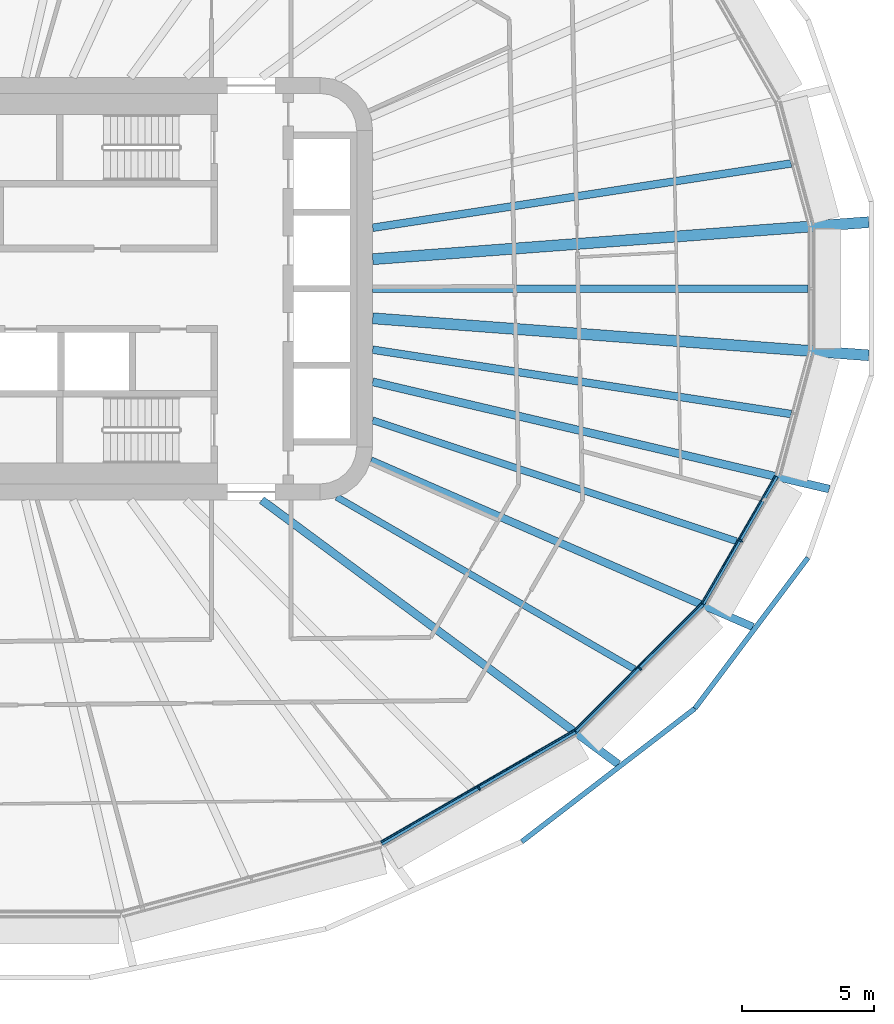
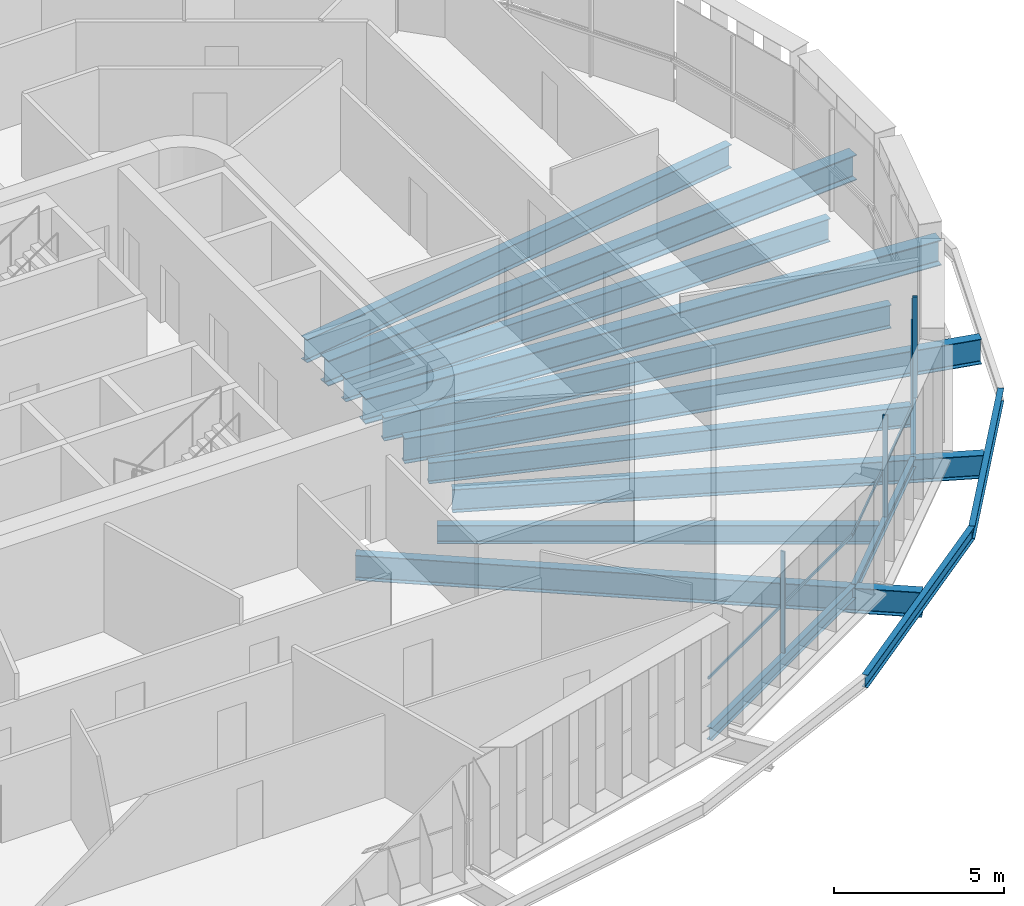
# One storey, part 5 of 26: 15 beams, 6 members, 3 elements without a shape of their own.
"""IFC4 building model written with IfcOpenShell, lengths in metres."""

from ifc_helpers import new_model, si_unit, direction, frame, origin, origin_2d, place, context, subcontext, project, spatial, rectangle, i_section, extrude, material, layer, layer_set, material_profile, profile_set, type_object, element, aggregate, save


model = new_model("IFC4")

# Units and contexts
model_context = context("Model", 3, precision=1e-05, world=origin(), true_north=direction((0.0, 1.0)))
body_context = subcontext(model_context, "Body", "Model", "MODEL_VIEW")
ifc_project = project(units=[si_unit("LENGTHUNIT", "METRE"), si_unit("AREAUNIT", "SQUARE_METRE"), si_unit("VOLUMEUNIT", "CUBIC_METRE"), si_unit("PLANEANGLEUNIT", "RADIAN"), si_unit("MASSUNIT", "GRAM", prefix="KILO")], contexts=[model_context])

# Site, building, storey
site_placement = place(None, origin())
site = spatial("IfcSite", under=ifc_project, at=site_placement, CompositionType="ELEMENT")
building_placement = place(site_placement, origin())
building = spatial("IfcBuilding", under=site, at=building_placement, Name="Sahrelin Media Tower", CompositionType="ELEMENT")
storey_placement = place(building_placement, frame((0.0, 0.0, 88.199951171875)))
storey = spatial("IfcBuildingStorey", under=building, at=storey_placement, Name="L16", CompositionType="ELEMENT", Elevation=88.199951171875)

# Beams
ifc_material_1 = material(Name="Steel S355", Category="steel")
ifc_material_profile_1 = material_profile(ifc_material_1, i_section(OverallWidth=0.1650390625, OverallDepth=0.303466796875, WebThickness=0.006103515625, FlangeThickness=0.01025390625, FilletRadius=0.0087890625, at=origin_2d()), Name="UB 305x165x40")
ifc_profile_set_1 = profile_set([ifc_material_profile_1], Name="Steel S355")
beam_type_1 = type_object("IfcBeamType", Name="Edge beam EB2", PredefinedType="BEAM", material=ifc_profile_set_1)
beam_1_placement = place(storey_placement, frame((30.282958984375, -7.103271484375, -0.3017578125), z_axis=(-0.499998387408, -0.866026334813, 0.0), x_axis=(0.866026334813, -0.499998387408, 0.0)))
element("IfcBeam", 1, at=beam_1_placement, inside=storey, type_object=beam_type_1, Name="Edge beam L16-03", PredefinedType="BEAM", context=body_context, shape_type="SweptSolid", body=[
    extrude(i_section(OverallWidth=0.1650390625, OverallDepth=0.303466796875, WebThickness=0.006103515625, FlangeThickness=0.01025390625, FilletRadius=0.0087890625, at=origin_2d()), origin(), (0.0, 0.0, 1.0), 5.5654296875),
])
ifc_material_profile_2 = material_profile(ifc_material_1, i_section(OverallWidth=0.17138671875, OverallDepth=0.35498046875, WebThickness=0.00732421875, FlangeThickness=0.011474609375, FilletRadius=0.01025390625, at=origin_2d()), Name="UB 356x171x51")
ifc_profile_set_2 = profile_set([ifc_material_profile_2], Name="Steel S355")
beam_type_2 = type_object("IfcBeamType", Name="Edge beam EB3", PredefinedType="BEAM", material=ifc_profile_set_2)
beam_2_placement = place(storey_placement, frame((27.482666015625, -11.946044921875, -0.327392578125), z_axis=(-0.707106781187, -0.707106781187, 0.0), x_axis=(0.707106781187, -0.707106781187, 0.0)))
element("IfcBeam", 2, at=beam_2_placement, inside=storey, type_object=beam_type_2, Name="Edge beam L16-04", PredefinedType="BEAM", context=body_context, shape_type="SweptSolid", body=[
    extrude(i_section(OverallWidth=0.17138671875, OverallDepth=0.35498046875, WebThickness=0.00732421875, FlangeThickness=0.011474609375, FilletRadius=0.01025390625, at=origin_2d()), origin(), (0.0, 0.0, 1.0), 6.7783203125),
])
ifc_material_profile_3 = material_profile(ifc_material_1, i_section(OverallWidth=0.1904296875, OverallDepth=0.45703125, WebThickness=0.009033203125, FlangeThickness=0.014404296875, FilletRadius=0.01025390625, at=origin_2d()), Name="UB 457x191x74")
ifc_profile_set_3 = profile_set([ifc_material_profile_3], Name="Steel S355")
beam_type_3 = type_object("IfcBeamType", Name="Edge beam EB5", PredefinedType="BEAM", material=ifc_profile_set_3)
beam_3_placement = place(storey_placement, frame((22.666748046875, -16.756591796875, -0.37841796875), z_axis=(-0.866025712585, -0.499999465141, 0.0), x_axis=(0.499999465141, -0.866025712585, 0.0)))
element("IfcBeam", 3, at=beam_3_placement, inside=storey, type_object=beam_type_3, Name="Edge beam L16-05", PredefinedType="BEAM", context=body_context, shape_type="SweptSolid", body=[
    extrude(i_section(OverallWidth=0.1904296875, OverallDepth=0.45703125, WebThickness=0.009033203125, FlangeThickness=0.014404296875, FilletRadius=0.01025390625, at=origin_2d()), origin(), (0.0, 0.0, 1.0), 8.46826171875),
])

# Curtain wall, member
ifc_material_2 = material(Name="Champagne anodised aluminium 6063-T6", Category="aluminium")
ifc_layer = layer(ifc_material_2, 0.14990234375)
ifc_layer_set = layer_set([ifc_layer], Name="Tower ribbon curtain wall")
curtain_wall_type = type_object("IfcCurtainWallType", Name="Tower ribbon curtain wall", PredefinedType="NOTDEFINED", material=ifc_layer_set)
curtain_wall_1_placement = place(storey_placement, frame((19.074951171875, -19.003662109375, 0.0), z_axis=(0.0, 0.0, 1.0), x_axis=(1.0, 0.0, 0.0)))
curtain_wall_1 = element("IfcCurtainWall", 4, at=curtain_wall_1_placement, inside=storey, type_object=curtain_wall_type, Name="L16:CW:L16-20", PredefinedType="NOTDEFINED")
ifc_material_profile_4 = material_profile(ifc_material_2, rectangle(XDim=0.06005859375, YDim=0.14990234375, at=origin_2d()), Name="Mullion 60x150")
ifc_profile_set_4 = profile_set([ifc_material_profile_4], Name="Champagne anodised aluminium 6063-T6")
member_type_1 = type_object("IfcMemberType", Name="Mullion 60x150 CW1", PredefinedType="MULLION", material=ifc_profile_set_4)
member_1_placement = place(storey_placement, frame((19.02734375, -18.92138671875, 0.0), z_axis=(0.0, 0.0, 1.0), x_axis=(0.866022785779, 0.500004534492, 0.0)))
member_1 = element("IfcMember", 5, at=member_1_placement, type_object=member_type_1, Name="L16:CWM:L16-20", PredefinedType="MULLION", context=body_context, shape_type="SweptSolid", body=[
    extrude(rectangle(XDim=0.06005859375, YDim=0.14990234375, at=origin_2d()), origin(), (0.0, 0.0, 1.0), 3.648681640625),
])

curtain_wall_2_placement = place(storey_placement, frame((25.192138671875, -14.44873046875, 0.0), z_axis=(0.0, 0.0, 1.0), x_axis=(1.0, 0.0, 0.0)))
curtain_wall_2 = element("IfcCurtainWall", 6, at=curtain_wall_2_placement, inside=storey, type_object=curtain_wall_type, Name="L16:CW:L16-21", PredefinedType="NOTDEFINED")
member_2_placement = place(storey_placement, frame((25.125, -14.381591796875, 0.0), z_axis=(0.0, 0.0, 1.0), x_axis=(0.707114185953, 0.707099376343, 0.0)))
member_2 = element("IfcMember", 7, at=member_2_placement, type_object=member_type_1, Name="L16:CWM:L16-21", PredefinedType="MULLION", context=body_context, shape_type="SweptSolid", body=[
    extrude(rectangle(XDim=0.06005859375, YDim=0.14990234375, at=origin_2d()), origin(), (0.0, 0.0, 1.0), 3.648681640625),
])

curtain_wall_3_placement = place(storey_placement, frame((29.021484375, -9.58837890625, 0.0), z_axis=(0.0, 0.0, 1.0), x_axis=(1.0, 0.0, 0.0)))
curtain_wall_3 = element("IfcCurtainWall", 8, at=curtain_wall_3_placement, inside=storey, type_object=curtain_wall_type, Name="L16:CW:L16-22", PredefinedType="NOTDEFINED")
member_3_placement = place(storey_placement, frame((28.939208984375, -9.540771484375, 0.0), z_axis=(0.0, 0.0, 1.0), x_axis=(0.499990930976, 0.866030639725, 0.0)))
member_3 = element("IfcMember", 9, at=member_3_placement, type_object=member_type_1, Name="L16:CWM:L16-22", PredefinedType="MULLION", context=body_context, shape_type="SweptSolid", body=[
    extrude(rectangle(XDim=0.06005859375, YDim=0.14990234375, at=origin_2d()), origin(), (0.0, 0.0, 1.0), 3.648681640625),
])

# Beams
ifc_material_profile_5 = material_profile(ifc_material_1, i_section(OverallWidth=0.291748046875, OverallDepth=0.8349609375, WebThickness=0.013916015625, FlangeThickness=0.018798828125, FilletRadius=0.017822265625, at=origin_2d()), Name="UB 838x292x176")
ifc_profile_set_5 = profile_set([ifc_material_profile_5], Name="Steel S355")
beam_type_4 = type_object("IfcBeamType", Name="Radial primary beam PB10", PredefinedType="BEAM", material=ifc_profile_set_5)
beam_4_placement = place(storey_placement, frame((14.93359375, -6.5048828125, -0.5673828125), z_axis=(0.916801900048, -0.399342304381, 0.0), x_axis=(0.399342304381, 0.916801900048, 0.0)))
element("IfcBeam", 10, at=beam_4_placement, inside=storey, type_object=beam_type_4, Name="Radial beam L16-22", PredefinedType="BEAM", context=body_context, shape_type="SweptSolid", body=[
    extrude(i_section(OverallWidth=0.291748046875, OverallDepth=0.8349609375, WebThickness=0.013916015625, FlangeThickness=0.018798828125, FilletRadius=0.017822265625, at=origin_2d()), origin(), (0.0, 0.0, 1.0), 15.77490234375),
])
ifc_material_profile_6 = material_profile(ifc_material_1, i_section(OverallWidth=0.30322265625, OverallDepth=0.903076171875, WebThickness=0.01513671875, FlangeThickness=0.020263671875, FilletRadius=0.01904296875, at=origin_2d()), Name="UB 914x305x201")
ifc_profile_set_6 = profile_set([ifc_material_profile_6], Name="Steel S355")
beam_type_5 = type_object("IfcBeamType", Name="Radial primary beam PB11", PredefinedType="BEAM", material=ifc_profile_set_6)
beam_5_placement = place(storey_placement, frame((10.798828125, -8.0, -0.6015625), z_axis=(0.803527079038, -0.59526820279, 0.0), x_axis=(0.59526820279, 0.803527079038, 0.0)))
element("IfcBeam", 11, at=beam_5_placement, inside=storey, type_object=beam_type_5, Name="Radial beam L16-21", PredefinedType="BEAM", context=body_context, shape_type="SweptSolid", body=[
    extrude(i_section(OverallWidth=0.30322265625, OverallDepth=0.903076171875, WebThickness=0.01513671875, FlangeThickness=0.020263671875, FilletRadius=0.01904296875, at=origin_2d()), origin(), (0.0, 0.0, 1.0), 16.8037109375),
])
beam_6_placement = place(storey_placement, frame((15.0, -3.523681640625, -0.6015625), z_axis=(0.973498615926, -0.228692904986, 0.0), x_axis=(0.228692904986, 0.973498615926, 0.0)))
element("IfcBeam", 12, at=beam_6_placement, inside=storey, type_object=beam_type_5, Name="Radial beam L16-23", PredefinedType="BEAM", context=body_context, shape_type="SweptSolid", body=[
    extrude(i_section(OverallWidth=0.30322265625, OverallDepth=0.903076171875, WebThickness=0.01513671875, FlangeThickness=0.020263671875, FilletRadius=0.01904296875, at=origin_2d()), origin(), (0.0, 0.0, 1.0), 17.75537109375),
])
ifc_material_profile_7 = material_profile(ifc_material_1, i_section(OverallWidth=0.41845703125, OverallDepth=0.911865234375, WebThickness=0.019287109375, FlangeThickness=0.031982421875, FilletRadius=0.024169921875, at=origin_2d()), Name="UB 914x419x343")
ifc_profile_set_7 = profile_set([ifc_material_profile_7], Name="Steel S355")
beam_type_6 = type_object("IfcBeamType", Name="Radial primary beam PB12", PredefinedType="BEAM", material=ifc_profile_set_7)
for number, where, z_axis, x_axis, name in (
    (13, (15.0, 1.119384765625, -0.60595703125), (0.997226576238, 0.074425503994, 0.0), (-0.074425503994, 0.997226576238, 0.0), "Radial beam L16-01"),
    (14, (15.0, -1.119384765625, -0.60595703125), (0.997226576238, -0.074425503994, 0.0), (0.074425503994, 0.997226576238, 0.0), "Radial beam L16-24"),
):
    element("IfcBeam", number, at=place(storey_placement, frame(where, z_axis=z_axis, x_axis=x_axis)), inside=storey, type_object=beam_type_6, Name=name, PredefinedType="BEAM", context=body_context, shape_type="SweptSolid", body=[
        extrude(i_section(OverallWidth=0.41845703125, OverallDepth=0.911865234375, WebThickness=0.019287109375, FlangeThickness=0.031982421875, FilletRadius=0.024169921875, at=origin_2d()), origin(), (0.0, 0.0, 1.0), 18.835693359375),
    ])
ifc_material_profile_8 = material_profile(ifc_material_1, i_section(OverallWidth=0.291748046875, OverallDepth=0.8349609375, WebThickness=0.013916015625, FlangeThickness=0.018798828125, FilletRadius=0.017822265625, at=origin_2d()), Name="UB 838x292x176")
ifc_profile_set_8 = profile_set([ifc_material_profile_8], Name="Steel S355")
beam_type_7 = type_object("IfcBeamType", Name="Radial secondary beam SB10", PredefinedType="BEAM", material=ifc_profile_set_8)
for number, where, z_axis, x_axis, name in (
    (15, (15.0, 2.30712890625, -0.5673828125), (0.988375923041, 0.152029716678, 0.0), (-0.152029716678, 0.988375923041, 0.0), "Secondary beam L16-01"),
    (16, (15.0, -2.30712890625, -0.5673828125), (0.988375923041, -0.152029716678, 0.0), (0.152029716678, 0.988375923041, 0.0), "Secondary beam L16-23"),
):
    element("IfcBeam", number, at=place(storey_placement, frame(where, z_axis=z_axis, x_axis=x_axis)), inside=storey, type_object=beam_type_7, Name=name, PredefinedType="BEAM", context=body_context, shape_type="SweptSolid", body=[
        extrude(i_section(OverallWidth=0.291748046875, OverallDepth=0.8349609375, WebThickness=0.013916015625, FlangeThickness=0.018798828125, FilletRadius=0.017822265625, at=origin_2d()), origin(), (0.0, 0.0, 1.0), 16.02978515625),
    ])
beam_7_placement = place(storey_placement, frame((15.0, 0.0, -0.5673828125), z_axis=(1.0, 0.0, 0.0), x_axis=(0.0, 1.0, 0.0)))
element("IfcBeam", 17, at=beam_7_placement, inside=storey, type_object=beam_type_7, Name="Secondary beam L16-24", PredefinedType="BEAM", context=body_context, shape_type="SweptSolid", body=[
    extrude(i_section(OverallWidth=0.291748046875, OverallDepth=0.8349609375, WebThickness=0.013916015625, FlangeThickness=0.018798828125, FilletRadius=0.017822265625, at=origin_2d()), origin(), (0.0, 0.0, 1.0), 16.48828125),
])
ifc_material_profile_9 = material_profile(ifc_material_1, i_section(OverallWidth=0.2529296875, OverallDepth=0.677978515625, WebThickness=0.01171875, FlangeThickness=0.01611328125, FilletRadius=0.01513671875, at=origin_2d()), Name="UB 686x254x125")
ifc_profile_set_9 = profile_set([ifc_material_profile_9], Name="Steel S355")
beam_type_8 = type_object("IfcBeamType", Name="Radial secondary beam SB8", PredefinedType="BEAM", material=ifc_profile_set_9)
beam_8_placement = place(storey_placement, frame((13.63525390625, -7.88330078125, -0.48876953125), z_axis=(0.865726960109, -0.500516563703, 0.0), x_axis=(0.500516563703, 0.865726960109, 0.0)))
element("IfcBeam", 18, at=beam_8_placement, inside=storey, type_object=beam_type_8, Name="Secondary beam L16-21", PredefinedType="BEAM", context=body_context, shape_type="SweptSolid", body=[
    extrude(i_section(OverallWidth=0.2529296875, OverallDepth=0.677978515625, WebThickness=0.01171875, FlangeThickness=0.01611328125, FilletRadius=0.01513671875, at=origin_2d()), origin(), (0.0, 0.0, 1.0), 13.020263671875),
])
ifc_material_profile_10 = material_profile(ifc_material_1, i_section(OverallWidth=0.26513671875, OverallDepth=0.75390625, WebThickness=0.0126953125, FlangeThickness=0.017578125, FilletRadius=0.0166015625, at=origin_2d()), Name="UB 762x267x147")
ifc_profile_set_10 = profile_set([ifc_material_profile_10], Name="Steel S355")
beam_type_9 = type_object("IfcBeamType", Name="Radial secondary beam SB9", PredefinedType="BEAM", material=ifc_profile_set_10)
beam_9_placement = place(storey_placement, frame((15.0, -4.983642578125, -0.52685546875), z_axis=(0.948994110949, -0.315293795346, 0.0), x_axis=(0.315293795346, 0.948994110949, 0.0)))
element("IfcBeam", 19, at=beam_9_placement, inside=storey, type_object=beam_type_9, Name="Secondary beam L16-22", PredefinedType="BEAM", context=body_context, shape_type="SweptSolid", body=[
    extrude(i_section(OverallWidth=0.26513671875, OverallDepth=0.75390625, WebThickness=0.0126953125, FlangeThickness=0.017578125, FilletRadius=0.0166015625, at=origin_2d()), origin(), (0.0, 0.0, 1.0), 14.510009765625),
])
ifc_material_profile_11 = material_profile(ifc_material_1, i_section(OverallWidth=0.1904296875, OverallDepth=0.45703125, WebThickness=0.009033203125, FlangeThickness=0.014404296875, FilletRadius=0.01025390625, at=origin_2d()), Name="UB 457x191x74")
ifc_profile_set_11 = profile_set([ifc_material_profile_11], Name="Steel S355")
beam_type_10 = type_object("IfcBeamType", Name="Tie chord TC5", PredefinedType="BEAM", material=ifc_profile_set_11)
beam_10_placement = place(storey_placement, frame((20.647705078125, -20.934814453125, -0.37841796875), z_axis=(0.79243512124, 0.609956210416, 0.0), x_axis=(-0.609956210416, 0.79243512124, 0.0)))
element("IfcBeam", 20, at=beam_10_placement, inside=storey, type_object=beam_type_10, Name="Tie chord L16-21", PredefinedType="BEAM", context=body_context, shape_type="SweptSolid", body=[
    extrude(i_section(OverallWidth=0.1904296875, OverallDepth=0.45703125, WebThickness=0.009033203125, FlangeThickness=0.014404296875, FilletRadius=0.01025390625, at=origin_2d()), origin(), (0.0, 0.0, 1.0), 8.266845703125),
])
beam_11_placement = place(storey_placement, frame((27.19873046875, -15.892333984375, -0.37841796875), z_axis=(0.600054738751, 0.799958943011, 0.0), x_axis=(-0.799958943011, 0.600054738751, 0.0)))
element("IfcBeam", 21, at=beam_11_placement, inside=storey, type_object=beam_type_10, Name="Tie chord L16-22", PredefinedType="BEAM", context=body_context, shape_type="SweptSolid", body=[
    extrude(i_section(OverallWidth=0.1904296875, OverallDepth=0.45703125, WebThickness=0.009033203125, FlangeThickness=0.014404296875, FilletRadius=0.01025390625, at=origin_2d()), origin(), (0.0, 0.0, 1.0), 7.135986328125),
])

# Member
ifc_material_profile_12 = material_profile(ifc_material_2, rectangle(XDim=0.050048828125, YDim=0.10009765625, at=origin_2d()), Name="Transom 50x100")
ifc_profile_set_12 = profile_set([ifc_material_profile_12], Name="Champagne anodised aluminium 6063-T6")
member_type_2 = type_object("IfcMemberType", Name="Transom 50x100 CW1", PredefinedType="USERDEFINED", material=ifc_profile_set_12)
member_4_placement = place(storey_placement, frame((15.32421875, -20.94384765625, 1.60009765625), z_axis=(0.866029933621, 0.499992154011, 0.0), x_axis=(-0.499992154011, 0.866029933621, 0.0)))
member_4 = element("IfcMember", 22, at=member_4_placement, type_object=member_type_2, Name="L16:CWT:L16-20", ObjectType="TRANSOM", PredefinedType="USERDEFINED", context=body_context, shape_type="SweptSolid", body=[
    extrude(rectangle(XDim=0.050048828125, YDim=0.10009765625, at=origin_2d()), origin(), (0.0, 0.0, 1.0), 8.436767578125),
])

aggregate(curtain_wall_1, [member_1, member_4])

member_5_placement = place(storey_placement, frame((22.6689453125, -16.6962890625, 1.60009765625), z_axis=(0.707088688516, 0.707124873394, 0.0), x_axis=(-0.707124873394, 0.707088688516, 0.0)))
member_5 = element("IfcMember", 23, at=member_5_placement, type_object=member_type_2, Name="L16:CWT:L16-21", ObjectType="TRANSOM", PredefinedType="USERDEFINED", context=body_context, shape_type="SweptSolid", body=[
    extrude(rectangle(XDim=0.050048828125, YDim=0.10009765625, at=origin_2d()), origin(), (0.0, 0.0, 1.0), 6.7470703125),
])

aggregate(curtain_wall_2, [member_2, member_5])

member_6_placement = place(storey_placement, frame((27.468994140625, -11.88720703125, 1.60009765625), z_axis=(0.500001219746, 0.866024699562, 0.0), x_axis=(-0.866024699562, 0.500001219746, 0.0)))
member_6 = element("IfcMember", 24, at=member_6_placement, type_object=member_type_2, Name="L16:CWT:L16-22", ObjectType="TRANSOM", PredefinedType="USERDEFINED", context=body_context, shape_type="SweptSolid", body=[
    extrude(rectangle(XDim=0.050048828125, YDim=0.10009765625, at=origin_2d()), origin(), (0.0, 0.0, 1.0), 5.5341796875),
])

aggregate(curtain_wall_3, [member_3, member_6])

save(model, "model.ifc")
